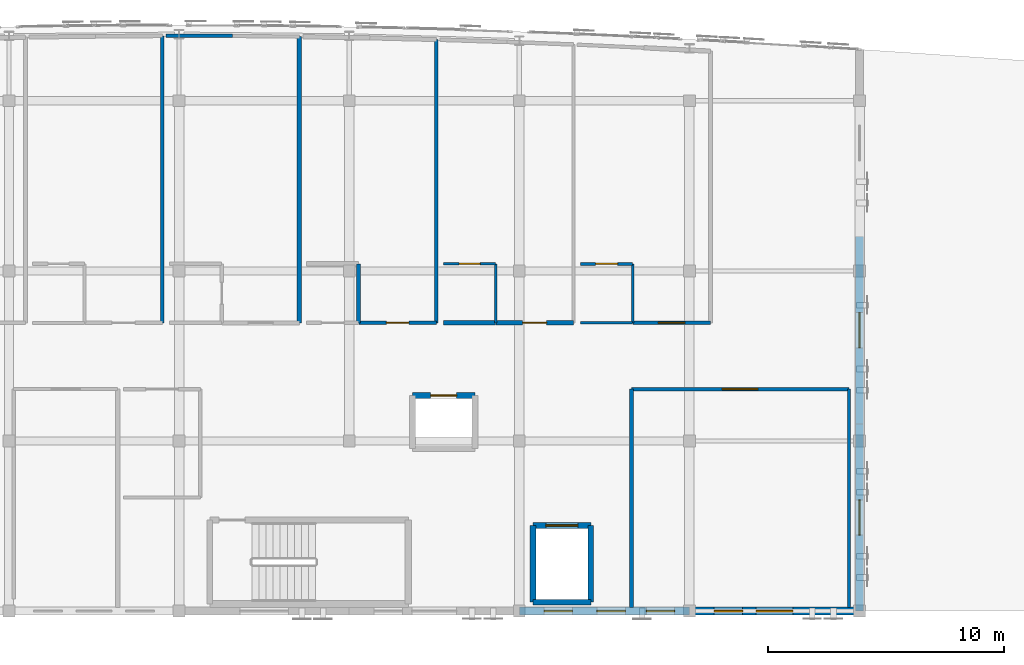
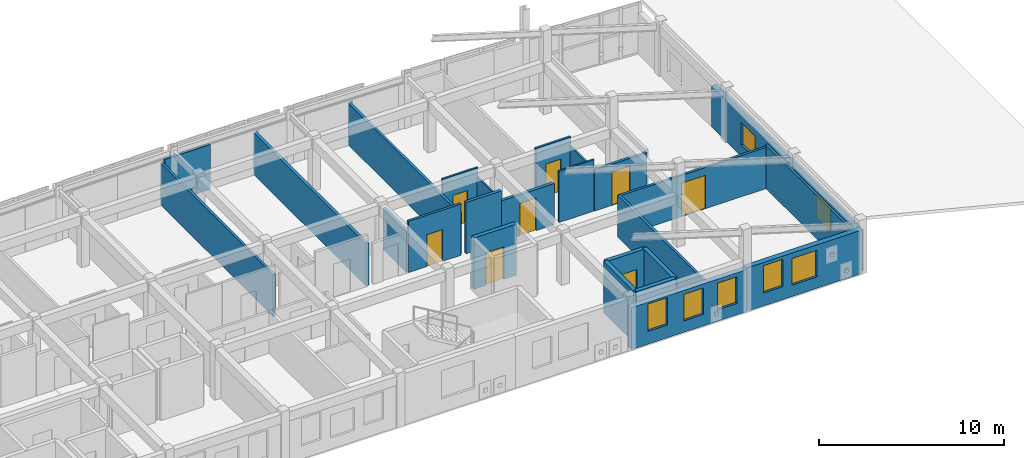
# One storey, part 30 of 34: 26 walls, 8 doors, 7 windows, 15 openings.
"""IFC4 building model written with IfcOpenShell, lengths in metres."""

from ifc_helpers import new_model, si_unit, direction, frame, frame_2d, origin, place, context, subcontext, project, spatial, rectangle, extrude, material, layer, layer_set, type_object, element, fill, save


model = new_model("IFC4")

# Units and contexts
model_context = context("Model", 3, precision=1e-05, world=origin(), true_north=direction((0.0, 1.0)))
body_context = subcontext(model_context, "Body", "Model", "MODEL_VIEW")
ifc_project = project(units=[si_unit("LENGTHUNIT", "METRE"), si_unit("AREAUNIT", "SQUARE_METRE"), si_unit("VOLUMEUNIT", "CUBIC_METRE"), si_unit("PLANEANGLEUNIT", "RADIAN"), si_unit("MASSUNIT", "GRAM", prefix="KILO")], contexts=[model_context])

# Site, building, storey
site_placement = place(None, origin())
site = spatial("IfcSite", under=ifc_project, at=site_placement, CompositionType="ELEMENT")
building_placement = place(site_placement, origin())
building = spatial("IfcBuilding", under=site, at=building_placement, Name="Carrowvane Square Congress Hotel", CompositionType="ELEMENT")
storey_placement = place(building_placement, frame((0.0, 0.0, 40.800048828125)))
storey = spatial("IfcBuildingStorey", under=building, at=storey_placement, Name="L10", CompositionType="ELEMENT", Elevation=40.800048828125)

# Wall, opening, window
ifc_material_1 = material(Name="Glazed terracotta rainscreen", Category="masonry")
ifc_layer_1 = layer(ifc_material_1, 0.330078125)
ifc_layer_set_1 = layer_set([ifc_layer_1], Name="Glazed terracotta rainscreen")
wall_type_1 = type_object("IfcWallType", Name="WL-EXT-TC330", PredefinedType="STANDARD", material=ifc_layer_set_1)
wall_1_placement = place(storey_placement, frame((126.800048828125, 107.6494140625, 0.0), z_axis=(0.0, 0.0, 1.0), x_axis=(0.0, -1.0, 0.0)))
wall_1 = element("IfcWall", 1, at=wall_1_placement, inside=storey, type_object=wall_type_1, Name="L10 exterior facade wall 586", PredefinedType="STANDARD", context=body_context, shape_type="SweptSolid", body=[
    extrude(rectangle(XDim=7.924560546875, YDim=0.330078125, at=frame_2d((3.96240234375, 0.0))), origin(), (0.0, 0.0, 1.0), 2.71484375),
])
opening_1_placement = place(wall_1_placement, frame((3.21240234375, 0.0, 0.75)))
opening_1 = element("IfcOpeningElement", 2, at=opening_1_placement, cuts=wall_1, Name="Opening W-15", PredefinedType="OPENING", context=body_context, shape_type="SweptSolid", body=[
    extrude(rectangle(XDim=1.5, YDim=1.5, at=frame_2d((0.75, 0.75))), frame((0.0, 0.175048828125, 0.0), z_axis=(0.0, -1.0, 0.0), x_axis=(1.0, 0.0, 0.0)), (0.0, 0.0, 1.0), 0.35009765625),
])
ifc_material_2 = material(Name="Double-glazed low-E glass", Category="glass")
window_type_1 = type_object("IfcWindowType", Name="WIN-15", PartitioningType="SINGLE_PANEL", PredefinedType="WINDOW", material=ifc_material_2)
window_1_placement = place(opening_1_placement, origin())
window_1 = element("IfcWindow", 3, at=window_1_placement, inside=storey, type_object=window_type_1, Name="L10 facade window 458", OverallHeight=1.5, OverallWidth=1.5, PartitioningType="SINGLE_PANEL", PredefinedType="WINDOW", context=body_context, shape_type="SweptSolid", body=[
    extrude(rectangle(XDim=1.5, YDim=1.5, at=frame_2d((0.75, 0.75))), frame((0.0, 0.030029296875, 0.0), z_axis=(0.0, -1.0, 0.0), x_axis=(1.0, 0.0, 0.0)), (0.0, 0.0, 1.0), 0.06005859375),
])
fill(opening_1, window_1)

wall_2_placement = place(storey_placement, frame((126.800048828125, 99.724853515625, 0.0), z_axis=(0.0, 0.0, 1.0), x_axis=(0.0, -1.0, 0.0)))
wall_2 = element("IfcWall", 4, at=wall_2_placement, inside=storey, type_object=wall_type_1, Name="L10 exterior facade wall 587", PredefinedType="STANDARD", context=body_context, shape_type="SweptSolid", body=[
    extrude(rectangle(XDim=7.9248046875, YDim=0.330078125, at=frame_2d((3.96240234375, 0.0))), origin(), (0.0, 0.0, 1.0), 2.71484375),
])
opening_2_placement = place(wall_2_placement, frame((3.21240234375, 0.0, 0.75)))
opening_2 = element("IfcOpeningElement", 5, at=opening_2_placement, cuts=wall_2, Name="Opening W-15", PredefinedType="OPENING", context=body_context, shape_type="SweptSolid", body=[
    extrude(rectangle(XDim=1.5, YDim=1.5, at=frame_2d((0.75, 0.75))), frame((0.0, 0.175048828125, 0.0), z_axis=(0.0, -1.0, 0.0), x_axis=(1.0, 0.0, 0.0)), (0.0, 0.0, 1.0), 0.35009765625),
])
window_2_placement = place(opening_2_placement, origin())
window_2 = element("IfcWindow", 6, at=window_2_placement, inside=storey, type_object=window_type_1, Name="L10 facade window 459", OverallHeight=1.5, OverallWidth=1.5, PartitioningType="SINGLE_PANEL", PredefinedType="WINDOW", context=body_context, shape_type="SweptSolid", body=[
    extrude(rectangle(XDim=1.5, YDim=1.5, at=frame_2d((0.75, 0.75))), frame((0.0, 0.030029296875, 0.0), z_axis=(0.0, -1.0, 0.0), x_axis=(1.0, 0.0, 0.0)), (0.0, 0.0, 1.0), 0.06005859375),
])
fill(opening_2, window_2)

# Wall, openings, windows
wall_3_placement = place(storey_placement, frame((126.800048828125, 91.800048828125, 0.0), z_axis=(0.0, 0.0, 1.0), x_axis=(-1.0, 0.0, 0.0)))
wall_3 = element("IfcWall", 7, at=wall_3_placement, inside=storey, type_object=wall_type_1, Name="L10 exterior facade wall 588", PredefinedType="STANDARD", context=body_context, shape_type="SweptSolid", body=[
    extrude(rectangle(XDim=7.199951171875, YDim=0.330078125, at=frame_2d((3.60009765625, 0.0))), origin(), (0.0, 0.0, 1.0), 2.8603515625),
])
opening_3_placement = place(wall_3_placement, frame((2.824951171875, 0.0, 0.75)))
opening_3 = element("IfcOpeningElement", 8, at=opening_3_placement, cuts=wall_3, Name="Opening W-23", PredefinedType="OPENING", context=body_context, shape_type="SweptSolid", body=[
    extrude(rectangle(XDim=1.550048828125, YDim=1.75, at=frame_2d((0.77490234375, 0.875))), frame((0.0, 0.175048828125, 0.0), z_axis=(0.0, -1.0, 0.0), x_axis=(1.0, 0.0, 0.0)), (0.0, 0.0, 1.0), 0.35009765625),
])
opening_4_placement = place(wall_3_placement, frame((4.949951171875, 0.0, 0.85009765625)))
opening_4 = element("IfcOpeningElement", 9, at=opening_4_placement, cuts=wall_3, Name="Opening W-01", PredefinedType="OPENING", context=body_context, shape_type="SweptSolid", body=[
    extrude(rectangle(XDim=1.199951171875, YDim=1.800048828125, at=frame_2d((0.60009765625, 0.89990234375))), frame((0.0, 0.175048828125, 0.0), z_axis=(0.0, -1.0, 0.0), x_axis=(1.0, 0.0, 0.0)), (0.0, 0.0, 1.0), 0.35009765625),
])
ifc_material_3 = material(Name="Double-glazed low-E glass", Category="glass")
window_type_2 = type_object("IfcWindowType", Name="WIN-01", PartitioningType="SINGLE_PANEL", PredefinedType="WINDOW", material=ifc_material_3)
window_3_placement = place(opening_4_placement, origin())
window_3 = element("IfcWindow", 10, at=window_3_placement, inside=storey, type_object=window_type_2, Name="L10 guest bedroom window 461", OverallHeight=1.800048828125, OverallWidth=1.199951171875, PartitioningType="SINGLE_PANEL", PredefinedType="WINDOW", context=body_context, shape_type="SweptSolid", body=[
    extrude(rectangle(XDim=1.199951171875, YDim=1.800048828125, at=frame_2d((0.60009765625, 0.89990234375))), frame((0.0, 0.030029296875, 0.0), z_axis=(0.0, -1.0, 0.0), x_axis=(1.0, 0.0, 0.0)), (0.0, 0.0, 1.0), 0.06005859375),
])
fill(opening_4, window_3)
ifc_material_4 = material(Name="Double-glazed low-E glass", Category="glass")
window_type_3 = type_object("IfcWindowType", Name="WIN-23", PartitioningType="SINGLE_PANEL", PredefinedType="WINDOW", material=ifc_material_4)
window_4_placement = place(opening_3_placement, origin())
window_4 = element("IfcWindow", 11, at=window_4_placement, inside=storey, type_object=window_type_3, Name="L10 facade window 460", OverallHeight=1.75, OverallWidth=1.550048828125, PartitioningType="SINGLE_PANEL", PredefinedType="WINDOW", context=body_context, shape_type="SweptSolid", body=[
    extrude(rectangle(XDim=1.550048828125, YDim=1.75, at=frame_2d((0.77490234375, 0.875))), frame((0.0, 0.030029296875, 0.0), z_axis=(0.0, -1.0, 0.0), x_axis=(1.0, 0.0, 0.0)), (0.0, 0.0, 1.0), 0.06005859375),
])
fill(opening_3, window_4)

wall_4_placement = place(storey_placement, frame((119.60009765625, 91.800048828125, 0.0), z_axis=(0.0, 0.0, 1.0), x_axis=(-1.0, 0.0, 0.0)))
wall_4 = element("IfcWall", 12, at=wall_4_placement, inside=storey, type_object=wall_type_1, Name="L10 exterior facade wall 589", PredefinedType="STANDARD", context=body_context, shape_type="SweptSolid", body=[
    extrude(rectangle(XDim=7.2001953125, YDim=0.330078125, at=frame_2d((3.60009765625, 0.0))), origin(), (0.0, 0.0, 1.0), 2.764892578125),
])
opening_5_placement = place(wall_4_placement, frame((0.625, 0.0, 0.75)))
opening_5 = element("IfcOpeningElement", 13, at=opening_5_placement, cuts=wall_4, Name="Opening W-01", PredefinedType="OPENING", context=body_context, shape_type="SweptSolid", body=[
    extrude(rectangle(XDim=1.199951171875, YDim=1.75, at=frame_2d((0.60009765625, 0.875))), frame((0.0, 0.175048828125, 0.0), z_axis=(0.0, -1.0, 0.0), x_axis=(1.0, 0.0, 0.0)), (0.0, 0.0, 1.0), 0.35009765625),
])
opening_6_placement = place(wall_4_placement, frame((4.949951171875, 0.0, 0.85009765625)))
opening_6 = element("IfcOpeningElement", 14, at=opening_6_placement, cuts=wall_4, Name="Opening W-01", PredefinedType="OPENING", context=body_context, shape_type="SweptSolid", body=[
    extrude(rectangle(XDim=1.199951171875, YDim=1.800048828125, at=frame_2d((0.60009765625, 0.89990234375))), frame((0.0, 0.175048828125, 0.0), z_axis=(0.0, -1.0, 0.0), x_axis=(1.0, 0.0, 0.0)), (0.0, 0.0, 1.0), 0.35009765625),
])
opening_7_placement = place(wall_4_placement, frame((2.71240234375, 0.0, 0.75)))
opening_7 = element("IfcOpeningElement", 15, at=opening_7_placement, cuts=wall_4, Name="Opening W-01", PredefinedType="OPENING", context=body_context, shape_type="SweptSolid", body=[
    extrude(rectangle(XDim=1.199951171875, YDim=1.75, at=frame_2d((0.60009765625, 0.875))), frame((0.0, 0.175048828125, 0.0), z_axis=(0.0, -1.0, 0.0), x_axis=(1.0, 0.0, 0.0)), (0.0, 0.0, 1.0), 0.35009765625),
])
window_5_placement = place(opening_5_placement, origin())
window_5 = element("IfcWindow", 16, at=window_5_placement, inside=storey, type_object=window_type_2, Name="L10 facade window 462", OverallHeight=1.75, OverallWidth=1.199951171875, PartitioningType="SINGLE_PANEL", PredefinedType="WINDOW", context=body_context, shape_type="SweptSolid", body=[
    extrude(rectangle(XDim=1.199951171875, YDim=1.75, at=frame_2d((0.60009765625, 0.875))), frame((0.0, 0.030029296875, 0.0), z_axis=(0.0, -1.0, 0.0), x_axis=(1.0, 0.0, 0.0)), (0.0, 0.0, 1.0), 0.06005859375),
])
fill(opening_5, window_5)
window_6_placement = place(opening_6_placement, origin())
window_6 = element("IfcWindow", 17, at=window_6_placement, inside=storey, type_object=window_type_2, Name="L10 guest bedroom window 463", OverallHeight=1.800048828125, OverallWidth=1.199951171875, PartitioningType="SINGLE_PANEL", PredefinedType="WINDOW", context=body_context, shape_type="SweptSolid", body=[
    extrude(rectangle(XDim=1.199951171875, YDim=1.800048828125, at=frame_2d((0.60009765625, 0.89990234375))), frame((0.0, 0.030029296875, 0.0), z_axis=(0.0, -1.0, 0.0), x_axis=(1.0, 0.0, 0.0)), (0.0, 0.0, 1.0), 0.06005859375),
])
fill(opening_6, window_6)
window_7_placement = place(opening_7_placement, origin())
window_7 = element("IfcWindow", 18, at=window_7_placement, inside=storey, type_object=window_type_2, Name="L10 split-bay facade window WIN-L10-0462-1", OverallHeight=1.75, OverallWidth=1.199951171875, PartitioningType="SINGLE_PANEL", PredefinedType="WINDOW", context=body_context, shape_type="SweptSolid", body=[
    extrude(rectangle(XDim=1.199951171875, YDim=1.75, at=frame_2d((0.60009765625, 0.875))), frame((0.0, 0.030029296875, 0.0), z_axis=(0.0, -1.0, 0.0), x_axis=(1.0, 0.0, 0.0)), (0.0, 0.0, 1.0), 0.06005859375),
])
fill(opening_7, window_7)

# Walls
ifc_material_5 = material(Name="Acoustic gypsum board", Category="gypsum")
ifc_layer_2 = layer(ifc_material_5, 0.155029296875)
ifc_layer_set_2 = layer_set([ifc_layer_2], Name="Acoustic gypsum board")
wall_type_2 = type_object("IfcWallType", Name="WL-FIR-155", PredefinedType="PARTITIONING", material=ifc_layer_set_2)
wall_5_placement = place(storey_placement, frame((117.14990234375, 91.9599609375, 0.0), z_axis=(0.0, 0.0, 1.0), x_axis=(0.0, 1.0, 0.0)))
element("IfcWall", 19, at=wall_5_placement, inside=storey, type_object=wall_type_2, Name="L10 L10 Penthouse East Terrace Pantry partition", PredefinedType="PARTITIONING", context=body_context, shape_type="SweptSolid", body=[
    extrude(rectangle(XDim=9.239990234375, YDim=0.155029296875, at=frame_2d((4.6201171875, 0.0))), origin(), (0.0, 0.0, 1.0), 2.764892578125),
])
wall_6_placement = place(storey_placement, frame((108.889892578125, 115.98876953125, 0.0), z_axis=(0.0, 0.0, 1.0), x_axis=(0.0, -1.0, 0.0)))
element("IfcWall", 20, at=wall_6_placement, inside=storey, type_object=wall_type_2, Name="L10 Parkview Suite 1014 partition", PredefinedType="PARTITIONING", context=body_context, shape_type="SweptSolid", body=[
    extrude(rectangle(XDim=11.98876953125, YDim=0.155029296875, at=frame_2d((5.994384765625, 0.0))), origin(), (0.0, 0.0, 1.0), 2.764892578125),
])

# Wall, opening, door
wall_7_placement = place(storey_placement, frame((120.489990234375, 104.0, 0.0), z_axis=(0.0, 0.0, 1.0), x_axis=(-1.0, 0.0, 0.0)))
wall_7 = element("IfcWall", 21, at=wall_7_placement, inside=storey, type_object=wall_type_2, Name="L10 Parkview Suite 1016 partition", PredefinedType="PARTITIONING", context=body_context, shape_type="SweptSolid", body=[
    extrude(rectangle(XDim=3.280029296875, YDim=0.155029296875, at=frame_2d((1.64013671875, 0.0))), origin(), (0.0, 0.0, 1.0), 2.71484375),
])
opening_8_placement = place(wall_7_placement, frame((1.080078125, 0.0, 0.0)))
opening_8 = element("IfcOpeningElement", 22, at=opening_8_placement, cuts=wall_7, Name="Opening FD-10", PredefinedType="OPENING", context=body_context, shape_type="SweptSolid", body=[
    extrude(rectangle(XDim=1.1201171875, YDim=2.199951171875, at=frame_2d((0.56005859375, 1.10009765625))), frame((0.0, 0.08740234375, 0.0), z_axis=(0.0, -1.0, 0.0), x_axis=(1.0, 0.0, 0.0)), (0.0, 0.0, 1.0), 0.175048828125),
])
ifc_material_6 = material(Name="European oak timber", Category="wood")
door_type_1 = type_object("IfcDoorType", Name="DR-FD30-1120x2200", OperationType="NOTDEFINED", PredefinedType="DOOR", material=ifc_material_6)
door_1_placement = place(opening_8_placement, origin())
door_1 = element("IfcDoor", 23, at=door_1_placement, inside=storey, type_object=door_type_1, Name="L10 Parkview Suite 1016 entrance door", OperationType="SINGLE_SWING_LEFT", OverallHeight=2.199951171875, OverallWidth=1.1201171875, PredefinedType="DOOR", context=body_context, shape_type="SweptSolid", body=[
    extrude(rectangle(XDim=1.1201171875, YDim=2.199951171875, at=frame_2d((0.56005859375, 1.10009765625))), frame((0.0, 0.02490234375, 0.0), z_axis=(0.0, -1.0, 0.0), x_axis=(1.0, 0.0, 0.0)), (0.0, 0.0, 1.0), 0.050048828125),
])
fill(opening_8, door_1)

# Walls
ifc_material_7 = material(Name="Acoustic gypsum board", Category="gypsum")
ifc_layer_3 = layer(ifc_material_7, 0.169921875)
ifc_layer_set_3 = layer_set([ifc_layer_3], Name="Acoustic gypsum board")
wall_type_3 = type_object("IfcWallType", Name="WL-FIR-170", PredefinedType="PARTITIONING", material=ifc_layer_set_3)
wall_8_placement = place(storey_placement, frame((105.60009765625, 106.5, 0.0), z_axis=(0.0, 0.0, 1.0), x_axis=(0.0, -1.0, 0.0)))
element("IfcWall", 24, at=wall_8_placement, inside=storey, type_object=wall_type_3, Name="L10 En-suite Bathroom 1014 partition", PredefinedType="PARTITIONING", context=body_context, shape_type="SweptSolid", body=[
    extrude(rectangle(XDim=2.5, YDim=0.169921875, at=frame_2d((1.25, 0.0))), origin(), (0.0, 0.0, 1.0), 2.764892578125),
])
ifc_material_8 = material(Name="Acoustic gypsum board", Category="gypsum")
ifc_layer_4 = layer(ifc_material_8, 0.18505859375)
ifc_layer_set_4 = layer_set([ifc_layer_4], Name="Acoustic gypsum board")
wall_type_4 = type_object("IfcWallType", Name="WL-FIR-185", PredefinedType="PARTITIONING", material=ifc_layer_set_4)
wall_9_placement = place(storey_placement, frame((103.090087890625, 116.114013671875, 0.0), z_axis=(0.0, 0.0, 1.0), x_axis=(0.0, -1.0, 0.0)))
element("IfcWall", 25, at=wall_9_placement, inside=storey, type_object=wall_type_4, Name="L10 Parkview Suite 1013 partition", PredefinedType="PARTITIONING", context=body_context, shape_type="SweptSolid", body=[
    extrude(rectangle(XDim=12.114013671875, YDim=0.18505859375, at=frame_2d((6.05712890625, 0.0))), origin(), (0.0, 0.0, 1.0), 2.764892578125),
])
wall_10_placement = place(storey_placement, frame((111.39990234375, 104.0, 0.0), z_axis=(0.0, 0.0, 1.0), x_axis=(-1.0, 0.0, 0.0)))
element("IfcWall", 26, at=wall_10_placement, inside=storey, type_object=wall_type_4, Name="L10 En-suite Bathroom 1015 partition", PredefinedType="PARTITIONING", context=body_context, shape_type="SweptSolid", body=[
    extrude(rectangle(XDim=2.199951171875, YDim=0.18505859375, at=frame_2d((1.10009765625, 0.0))), origin(), (0.0, 0.0, 1.0), 3.3798828125),
])

# Wall, opening, door
wall_11_placement = place(storey_placement, frame((114.68994140625, 104.0, 0.0), z_axis=(0.0, 0.0, 1.0), x_axis=(-1.0, 0.0, 0.0)))
wall_11 = element("IfcWall", 27, at=wall_11_placement, inside=storey, type_object=wall_type_4, Name="L10 Parkview Suite 1015 partition", PredefinedType="PARTITIONING", context=body_context, shape_type="SweptSolid", body=[
    extrude(rectangle(XDim=3.280029296875, YDim=0.18505859375, at=frame_2d((1.64013671875, 0.0))), origin(), (0.0, 0.0, 1.0), 2.71484375),
])
opening_9_placement = place(wall_11_placement, frame((1.1298828125, 0.0, 0.0)))
opening_9 = element("IfcOpeningElement", 28, at=opening_9_placement, cuts=wall_11, Name="Opening FD-08", PredefinedType="OPENING", context=body_context, shape_type="SweptSolid", body=[
    extrude(rectangle(XDim=1.02001953125, YDim=2.14990234375, at=frame_2d((0.510009765625, 1.074951171875))), frame((0.0, 0.1025390625, 0.0), z_axis=(0.0, -1.0, 0.0), x_axis=(1.0, 0.0, 0.0)), (0.0, 0.0, 1.0), 0.205078125),
])
ifc_material_9 = material(Name="European oak timber", Category="wood")
door_type_2 = type_object("IfcDoorType", Name="DR-FD30-1020x2150", OperationType="NOTDEFINED", PredefinedType="DOOR", material=ifc_material_9)
door_2_placement = place(opening_9_placement, origin())
door_2 = element("IfcDoor", 29, at=door_2_placement, inside=storey, type_object=door_type_2, Name="L10 Parkview Suite 1015 entrance door", OperationType="SINGLE_SWING_LEFT", OverallHeight=2.14990234375, OverallWidth=1.02001953125, PredefinedType="DOOR", context=body_context, shape_type="SweptSolid", body=[
    extrude(rectangle(XDim=1.02001953125, YDim=2.14990234375, at=frame_2d((0.510009765625, 1.074951171875))), frame((0.0, 0.02490234375, 0.0), z_axis=(0.0, -1.0, 0.0), x_axis=(1.0, 0.0, 0.0)), (0.0, 0.0, 1.0), 0.050048828125),
])
fill(opening_9, door_2)

# Wall
ifc_material_10 = material(Name="Acoustic gypsum board", Category="gypsum")
ifc_layer_5 = layer(ifc_material_10, 0.097900390625)
ifc_layer_set_5 = layer_set([ifc_layer_5], Name="Acoustic gypsum board")
wall_type_5 = type_object("IfcWallType", Name="WL-PRT-098", PredefinedType="PARTITIONING", material=ifc_layer_set_5)
wall_12_placement = place(storey_placement, frame((111.39990234375, 106.5, 0.0), z_axis=(0.0, 0.0, 1.0), x_axis=(0.0, -1.0, 0.0)))
element("IfcWall", 30, at=wall_12_placement, inside=storey, type_object=wall_type_5, Name="L10 En-suite Bathroom 1015 partition", PredefinedType="PARTITIONING", context=body_context, shape_type="SweptSolid", body=[
    extrude(rectangle(XDim=2.5, YDim=0.097900390625, at=frame_2d((1.25, 0.0))), origin(), (0.0, 0.0, 1.0), 2.764892578125),
])

# Wall, opening, door
ifc_material_11 = material(Name="Acoustic gypsum board", Category="gypsum")
ifc_layer_6 = layer(ifc_material_11, 0.10791015625)
ifc_layer_set_6 = layer_set([ifc_layer_6], Name="Acoustic gypsum board")
wall_type_6 = type_object("IfcWallType", Name="WL-PRT-108", PredefinedType="PARTITIONING", material=ifc_layer_set_6)
wall_13_placement = place(storey_placement, frame((109.199951171875, 106.5, 0.0), z_axis=(0.0, 0.0, 1.0), x_axis=(1.0, 0.0, 0.0)))
wall_13 = element("IfcWall", 31, at=wall_13_placement, inside=storey, type_object=wall_type_6, Name="L10 En-suite Bathroom 1015 partition", PredefinedType="PARTITIONING", context=body_context, shape_type="SweptSolid", body=[
    extrude(rectangle(XDim=2.199951171875, YDim=0.10791015625, at=frame_2d((1.10009765625, 0.0))), origin(), (0.0, 0.0, 1.0), 3.3798828125),
])
opening_10_placement = place(wall_13_placement, frame((0.655029296875, 0.0, 0.0)))
opening_10 = element("IfcOpeningElement", 32, at=opening_10_placement, cuts=wall_13, Name="Opening ID-16", PredefinedType="OPENING", context=body_context, shape_type="SweptSolid", body=[
    extrude(rectangle(XDim=0.889892578125, YDim=2.090087890625, at=frame_2d((0.44482421875, 1.044921875))), frame((0.0, 0.06396484375, 0.0), z_axis=(0.0, -1.0, 0.0), x_axis=(1.0, 0.0, 0.0)), (0.0, 0.0, 1.0), 0.1279296875),
])
ifc_material_12 = material(Name="European oak timber", Category="wood")
door_type_3 = type_object("IfcDoorType", Name="DR-INT-0890x2090", OperationType="NOTDEFINED", PredefinedType="DOOR", material=ifc_material_12)
door_3_placement = place(opening_10_placement, origin())
door_3 = element("IfcDoor", 33, at=door_3_placement, inside=storey, type_object=door_type_3, Name="L10 En-suite Bathroom 1015 door", OperationType="SINGLE_SWING_RIGHT", OverallHeight=2.090087890625, OverallWidth=0.889892578125, PredefinedType="DOOR", context=body_context, shape_type="SweptSolid", body=[
    extrude(rectangle(XDim=0.889892578125, YDim=2.090087890625, at=frame_2d((0.44482421875, 1.044921875))), frame((0.0, 0.02490234375, 0.0), z_axis=(0.0, -1.0, 0.0), x_axis=(1.0, 0.0, 0.0)), (0.0, 0.0, 1.0), 0.050048828125),
])
fill(opening_10, door_3)

# Walls
wall_14_placement = place(storey_placement, frame((117.199951171875, 104.0, 0.0), z_axis=(0.0, 0.0, 1.0), x_axis=(-1.0, 0.0, 0.0)))
element("IfcWall", 34, at=wall_14_placement, inside=storey, type_object=wall_type_6, Name="L10 En-suite Bathroom 1016 partition", PredefinedType="PARTITIONING", context=body_context, shape_type="SweptSolid", body=[
    extrude(rectangle(XDim=2.199951171875, YDim=0.10791015625, at=frame_2d((1.10009765625, 0.0))), origin(), (0.0, 0.0, 1.0), 3.3798828125),
])
ifc_material_13 = material(Name="Acoustic gypsum board", Category="gypsum")
ifc_layer_7 = layer(ifc_material_13, 0.117919921875)
ifc_layer_set_7 = layer_set([ifc_layer_7], Name="Acoustic gypsum board")
wall_type_7 = type_object("IfcWallType", Name="WL-PRT-118", PredefinedType="PARTITIONING", material=ifc_layer_set_7)
wall_15_placement = place(storey_placement, frame((117.199951171875, 106.5, 0.0), z_axis=(0.0, 0.0, 1.0), x_axis=(0.0, -1.0, 0.0)))
element("IfcWall", 35, at=wall_15_placement, inside=storey, type_object=wall_type_7, Name="L10 En-suite Bathroom 1016 partition", PredefinedType="PARTITIONING", context=body_context, shape_type="SweptSolid", body=[
    extrude(rectangle(XDim=2.5, YDim=0.117919921875, at=frame_2d((1.25, 0.0))), origin(), (0.0, 0.0, 1.0), 2.764892578125),
])

# Wall, opening, door
ifc_material_14 = material(Name="Acoustic gypsum board", Category="gypsum")
ifc_layer_8 = layer(ifc_material_14, 0.1279296875)
ifc_layer_set_8 = layer_set([ifc_layer_8], Name="Acoustic gypsum board")
wall_type_8 = type_object("IfcWallType", Name="WL-PRT-128", PredefinedType="PARTITIONING", material=ifc_layer_set_8)
wall_16_placement = place(storey_placement, frame((115.0, 106.5, 0.0), z_axis=(0.0, 0.0, 1.0), x_axis=(1.0, 0.0, 0.0)))
wall_16 = element("IfcWall", 36, at=wall_16_placement, inside=storey, type_object=wall_type_8, Name="L10 En-suite Bathroom 1016 partition", PredefinedType="PARTITIONING", context=body_context, shape_type="SweptSolid", body=[
    extrude(rectangle(XDim=2.199951171875, YDim=0.1279296875, at=frame_2d((1.10009765625, 0.0))), origin(), (0.0, 0.0, 1.0), 3.3798828125),
])
opening_11_placement = place(wall_16_placement, frame((0.635009765625, 0.0, 0.0)))
opening_11 = element("IfcOpeningElement", 37, at=opening_11_placement, cuts=wall_16, Name="Opening ID-18", PredefinedType="OPENING", context=body_context, shape_type="SweptSolid", body=[
    extrude(rectangle(XDim=0.929931640625, YDim=2.1298828125, at=frame_2d((0.46484375, 1.06494140625))), frame((0.0, 0.073974609375, 0.0), z_axis=(0.0, -1.0, 0.0), x_axis=(1.0, 0.0, 0.0)), (0.0, 0.0, 1.0), 0.14794921875),
])
ifc_material_15 = material(Name="European oak timber", Category="wood")
door_type_4 = type_object("IfcDoorType", Name="DR-INT-0930x2130", OperationType="NOTDEFINED", PredefinedType="DOOR", material=ifc_material_15)
door_4_placement = place(opening_11_placement, origin())
door_4 = element("IfcDoor", 38, at=door_4_placement, inside=storey, type_object=door_type_4, Name="L10 En-suite Bathroom 1016 door", OperationType="SINGLE_SWING_RIGHT", OverallHeight=2.1298828125, OverallWidth=0.929931640625, PredefinedType="DOOR", context=body_context, shape_type="SweptSolid", body=[
    extrude(rectangle(XDim=0.929931640625, YDim=2.1298828125, at=frame_2d((0.46484375, 1.06494140625))), frame((0.0, 0.02490234375, 0.0), z_axis=(0.0, -1.0, 0.0), x_axis=(1.0, 0.0, 0.0)), (0.0, 0.0, 1.0), 0.050048828125),
])
fill(opening_11, door_4)

# Wall
ifc_material_16 = material(Name="Acoustic gypsum board", Category="gypsum")
ifc_layer_9 = layer(ifc_material_16, 0.137939453125)
ifc_layer_set_9 = layer_set([ifc_layer_9], Name="Acoustic gypsum board")
wall_type_9 = type_object("IfcWallType", Name="WL-PRT-138", PredefinedType="PARTITIONING", material=ifc_layer_set_9)
wall_17_placement = place(storey_placement, frame((126.35009765625, 101.199951171875, 0.0), z_axis=(0.0, 0.0, 1.0), x_axis=(0.0, -1.0, 0.0)))
element("IfcWall", 39, at=wall_17_placement, inside=storey, type_object=wall_type_9, Name="L10 L10 Penthouse East Terrace Pantry partition", PredefinedType="PARTITIONING", context=body_context, shape_type="SweptSolid", body=[
    extrude(rectangle(XDim=9.239990234375, YDim=0.137939453125, at=frame_2d((4.6201171875, 0.0))), origin(), (0.0, 0.0, 1.0), 2.8603515625),
])

# Wall, opening, door
ifc_material_17 = material(Name="Acoustic gypsum board", Category="gypsum")
ifc_layer_10 = layer(ifc_material_17, 0.14794921875)
ifc_layer_set_10 = layer_set([ifc_layer_10], Name="Acoustic gypsum board")
wall_type_10 = type_object("IfcWallType", Name="WL-PRT-148", PredefinedType="PARTITIONING", material=ifc_layer_set_10)
wall_18_placement = place(storey_placement, frame((117.14990234375, 101.199951171875, 0.0), z_axis=(0.0, 0.0, 1.0), x_axis=(1.0, 0.0, 0.0)))
wall_18 = element("IfcWall", 40, at=wall_18_placement, inside=storey, type_object=wall_type_10, Name="L10 L10 Penthouse East Terrace Pantry partition", PredefinedType="PARTITIONING", context=body_context, shape_type="SweptSolid", body=[
    extrude(rectangle(XDim=9.2001953125, YDim=0.14794921875, at=frame_2d((4.60009765625, 0.0))), origin(), (0.0, 0.0, 1.0), 2.71484375),
])
opening_12_placement = place(wall_18_placement, frame((3.85009765625, 0.0, 0.0)))
opening_12 = element("IfcOpeningElement", 41, at=opening_12_placement, cuts=wall_18, Name="Opening ID-11", PredefinedType="OPENING", context=body_context, shape_type="SweptSolid", body=[
    extrude(rectangle(XDim=1.5, YDim=2.199951171875, at=frame_2d((0.75, 1.10009765625))), frame((0.0, 0.083984375, 0.0), z_axis=(0.0, -1.0, 0.0), x_axis=(1.0, 0.0, 0.0)), (0.0, 0.0, 1.0), 0.16796875),
])
ifc_material_18 = material(Name="European oak timber", Category="wood")
door_type_5 = type_object("IfcDoorType", Name="DR-INT-1500x2200", OperationType="DOUBLE_DOOR_SINGLE_SWING", PredefinedType="DOOR", material=ifc_material_18)
door_5_placement = place(opening_12_placement, origin())
door_5 = element("IfcDoor", 42, at=door_5_placement, inside=storey, type_object=door_type_5, Name="L10 L10 Penthouse East Terrace Pantry entrance door", OperationType="DOUBLE_DOOR_SINGLE_SWING", OverallHeight=2.199951171875, OverallWidth=1.5, PredefinedType="DOOR", context=body_context, shape_type="SweptSolid", body=[
    extrude(rectangle(XDim=1.5, YDim=2.199951171875, at=frame_2d((0.75, 1.10009765625))), frame((0.0, 0.02490234375, 0.0), z_axis=(0.0, -1.0, 0.0), x_axis=(1.0, 0.0, 0.0)), (0.0, 0.0, 1.0), 0.050048828125),
])
fill(opening_12, door_5)

# Walls
wall_19_placement = place(storey_placement, frame((97.2900390625, 116.147705078125, 0.0), z_axis=(0.0, 0.0, 1.0), x_axis=(0.0, -1.0, 0.0)))
element("IfcWall", 43, at=wall_19_placement, inside=storey, type_object=wall_type_10, Name="L10 Parkview Suite 1012 partition", PredefinedType="PARTITIONING", context=body_context, shape_type="SweptSolid", body=[
    extrude(rectangle(XDim=12.147705078125, YDim=0.14794921875, at=frame_2d((6.07373046875, 0.0))), origin(), (0.0, 0.0, 1.0), 2.764892578125),
])
wall_20_placement = place(storey_placement, frame((97.449951171875, 116.148193359375, 0.0), z_axis=(0.0, 0.0, 1.0), x_axis=(0.999998017628, -0.001991165648, 0.0)))
element("IfcWall", 44, at=wall_20_placement, inside=storey, type_object=wall_type_10, Name="L10 Parkview Suite 1013 partition", PredefinedType="PARTITIONING", context=body_context, shape_type="SweptSolid", body=[
    extrude(rectangle(XDim=2.820068359375, YDim=0.14794921875, at=frame_2d((1.41015625, 0.0))), origin(), (0.0, 0.0, 1.0), 2.95556640625),
])

# Wall, opening, door
wall_21_placement = place(storey_placement, frame((108.889892578125, 104.0, 0.0), z_axis=(0.0, 0.0, 1.0), x_axis=(-1.0, 0.0, 0.0)))
wall_21 = element("IfcWall", 45, at=wall_21_placement, inside=storey, type_object=wall_type_10, Name="L10 Parkview Suite 1014 partition", PredefinedType="PARTITIONING", context=body_context, shape_type="SweptSolid", body=[
    extrude(rectangle(XDim=3.27978515625, YDim=0.14794921875, at=frame_2d((1.639892578125, 0.0))), origin(), (0.0, 0.0, 1.0), 3.3798828125),
])
opening_13_placement = place(wall_21_placement, frame((1.1650390625, 0.0, 0.0)))
opening_13 = element("IfcOpeningElement", 46, at=opening_13_placement, cuts=wall_21, Name="Opening FD-06", PredefinedType="OPENING", context=body_context, shape_type="SweptSolid", body=[
    extrude(rectangle(XDim=0.949951171875, YDim=2.10009765625, at=frame_2d((0.47509765625, 1.050048828125))), frame((0.0, 0.083984375, 0.0), z_axis=(0.0, -1.0, 0.0), x_axis=(1.0, 0.0, 0.0)), (0.0, 0.0, 1.0), 0.16796875),
])
ifc_material_19 = material(Name="European oak timber", Category="wood")
door_type_6 = type_object("IfcDoorType", Name="DR-FD30-0950x2100", OperationType="NOTDEFINED", PredefinedType="DOOR", material=ifc_material_19)
door_6_placement = place(opening_13_placement, origin())
door_6 = element("IfcDoor", 47, at=door_6_placement, inside=storey, type_object=door_type_6, Name="L10 Parkview Suite 1014 entrance door", OperationType="SINGLE_SWING_LEFT", OverallHeight=2.10009765625, OverallWidth=0.949951171875, PredefinedType="DOOR", context=body_context, shape_type="SweptSolid", body=[
    extrude(rectangle(XDim=0.949951171875, YDim=2.10009765625, at=frame_2d((0.47509765625, 1.050048828125))), frame((0.0, 0.02490234375, 0.0), z_axis=(0.0, -1.0, 0.0), x_axis=(1.0, 0.0, 0.0)), (0.0, 0.0, 1.0), 0.050048828125),
])
fill(opening_13, door_6)

ifc_material_20 = material(Name="Concrete C40/50", Category="concrete")
ifc_layer_11 = layer(ifc_material_20, 0.25)
ifc_layer_set_11 = layer_set([ifc_layer_11], Name="Concrete C40/50")
wall_type_11 = type_object("IfcWallType", Name="WL-SHR-250", PredefinedType="SHEAR", material=ifc_layer_set_11)
wall_22_placement = place(storey_placement, frame((110.52490234375, 100.925048828125, 0.0), z_axis=(0.0, 0.0, 1.0), x_axis=(-1.0, 0.0, 0.0)))
wall_22 = element("IfcWall", 48, at=wall_22_placement, inside=storey, type_object=wall_type_11, Name="L10 HL-3 shaft wall north", PredefinedType="SHEAR", context=body_context, shape_type="SweptSolid", body=[
    extrude(rectangle(XDim=2.64990234375, YDim=0.25, at=frame_2d((1.324951171875, 0.0))), origin(), (0.0, 0.0, 1.0), 3.3798828125),
])
opening_14_placement = place(wall_22_placement, frame((0.77490234375, 0.0, 0.0)))
opening_14 = element("IfcOpeningElement", 49, at=opening_14_placement, cuts=wall_22, Name="Opening LD-HL-3", PredefinedType="OPENING", context=body_context, shape_type="SweptSolid", body=[
    extrude(rectangle(XDim=1.10009765625, YDim=2.14990234375, at=frame_2d((0.550048828125, 1.074951171875))), frame((0.0, 0.135009765625, 0.0), z_axis=(0.0, -1.0, 0.0), x_axis=(1.0, 0.0, 0.0)), (0.0, 0.0, 1.0), 0.27001953125),
])
ifc_material_21 = material(Name="Stainless steel 316", Category="steel")
door_type_7 = type_object("IfcDoorType", Name="DR-LD-1100x2150", OperationType="DOUBLE_DOOR_SLIDING", PredefinedType="DOOR", material=ifc_material_21)
door_7_placement = place(opening_14_placement, origin())
door_7 = element("IfcDoor", 50, at=door_7_placement, inside=storey, type_object=door_type_7, Name="L10 HL-3 sliding lift landing door", OperationType="DOUBLE_DOOR_SLIDING", OverallHeight=2.14990234375, OverallWidth=1.10009765625, PredefinedType="DOOR", context=body_context, shape_type="SweptSolid", body=[
    extrude(rectangle(XDim=1.10009765625, YDim=2.14990234375, at=frame_2d((0.550048828125, 1.074951171875))), frame((0.0, 0.02490234375, 0.0), z_axis=(0.0, -1.0, 0.0), x_axis=(1.0, 0.0, 0.0)), (0.0, 0.0, 1.0), 0.050048828125),
])
fill(opening_14, door_7)

# Walls
wall_23_placement = place(storey_placement, frame((112.97509765625, 92.175048828125, 0.0), z_axis=(0.0, 0.0, 1.0), x_axis=(1.0, 0.0, 0.0)))
element("IfcWall", 51, at=wall_23_placement, inside=storey, type_object=wall_type_11, Name="L10 SL-2 shaft wall south", PredefinedType="SHEAR", context=body_context, shape_type="SweptSolid", body=[
    extrude(rectangle(XDim=2.449951171875, YDim=0.25, at=frame_2d((1.22509765625, 0.0))), origin(), (0.0, 0.0, 1.0), 3.3798828125),
])
wall_24_placement = place(storey_placement, frame((115.425048828125, 92.175048828125, 0.0), z_axis=(0.0, 0.0, 1.0), x_axis=(0.0, 1.0, 0.0)))
element("IfcWall", 52, at=wall_24_placement, inside=storey, type_object=wall_type_11, Name="L10 SL-2 shaft wall east", PredefinedType="SHEAR", context=body_context, shape_type="SweptSolid", body=[
    extrude(rectangle(XDim=3.25, YDim=0.25, at=frame_2d((1.625, 0.0))), origin(), (0.0, 0.0, 1.0), 3.3798828125),
])

# Wall, opening, door
wall_25_placement = place(storey_placement, frame((115.425048828125, 95.425048828125, 0.0), z_axis=(0.0, 0.0, 1.0), x_axis=(-1.0, 0.0, 0.0)))
wall_25 = element("IfcWall", 53, at=wall_25_placement, inside=storey, type_object=wall_type_11, Name="L10 SL-2 shaft wall north", PredefinedType="SHEAR", context=body_context, shape_type="SweptSolid", body=[
    extrude(rectangle(XDim=2.449951171875, YDim=0.25, at=frame_2d((1.22509765625, 0.0))), origin(), (0.0, 0.0, 1.0), 3.3798828125),
])
opening_15_placement = place(wall_25_placement, frame((0.550048828125, 0.0, 0.0)))
opening_15 = element("IfcOpeningElement", 54, at=opening_15_placement, cuts=wall_25, Name="Opening LD-SL-2", PredefinedType="OPENING", context=body_context, shape_type="SweptSolid", body=[
    extrude(rectangle(XDim=1.35009765625, YDim=2.199951171875, at=frame_2d((0.675048828125, 1.10009765625))), frame((0.0, 0.135009765625, 0.0), z_axis=(0.0, -1.0, 0.0), x_axis=(1.0, 0.0, 0.0)), (0.0, 0.0, 1.0), 0.27001953125),
])
ifc_material_22 = material(Name="Stainless steel 316", Category="steel")
door_type_8 = type_object("IfcDoorType", Name="DR-LD-1350x2200", OperationType="DOUBLE_DOOR_SLIDING", PredefinedType="DOOR", material=ifc_material_22)
door_8_placement = place(opening_15_placement, origin())
door_8 = element("IfcDoor", 55, at=door_8_placement, inside=storey, type_object=door_type_8, Name="L10 SL-2 sliding lift landing door", OperationType="DOUBLE_DOOR_SLIDING", OverallHeight=2.199951171875, OverallWidth=1.35009765625, PredefinedType="DOOR", context=body_context, shape_type="SweptSolid", body=[
    extrude(rectangle(XDim=1.35009765625, YDim=2.199951171875, at=frame_2d((0.675048828125, 1.10009765625))), frame((0.0, 0.02490234375, 0.0), z_axis=(0.0, -1.0, 0.0), x_axis=(1.0, 0.0, 0.0)), (0.0, 0.0, 1.0), 0.050048828125),
])
fill(opening_15, door_8)

# Wall
wall_26_placement = place(storey_placement, frame((112.97509765625, 95.425048828125, 0.0), z_axis=(0.0, 0.0, 1.0), x_axis=(0.0, -1.0, 0.0)))
element("IfcWall", 56, at=wall_26_placement, inside=storey, type_object=wall_type_11, Name="L10 SL-2 shaft wall west", PredefinedType="SHEAR", context=body_context, shape_type="SweptSolid", body=[
    extrude(rectangle(XDim=3.25, YDim=0.25, at=frame_2d((1.625, 0.0))), origin(), (0.0, 0.0, 1.0), 3.3798828125),
])

save(model, "model.ifc")
